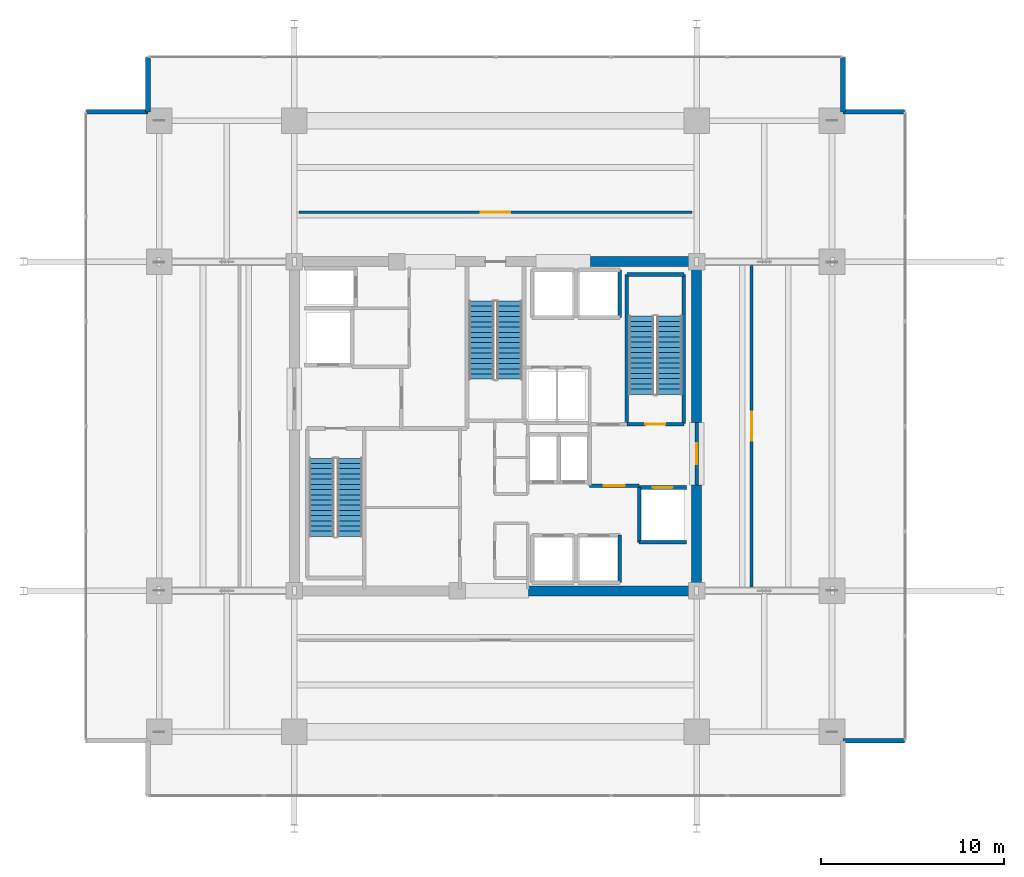
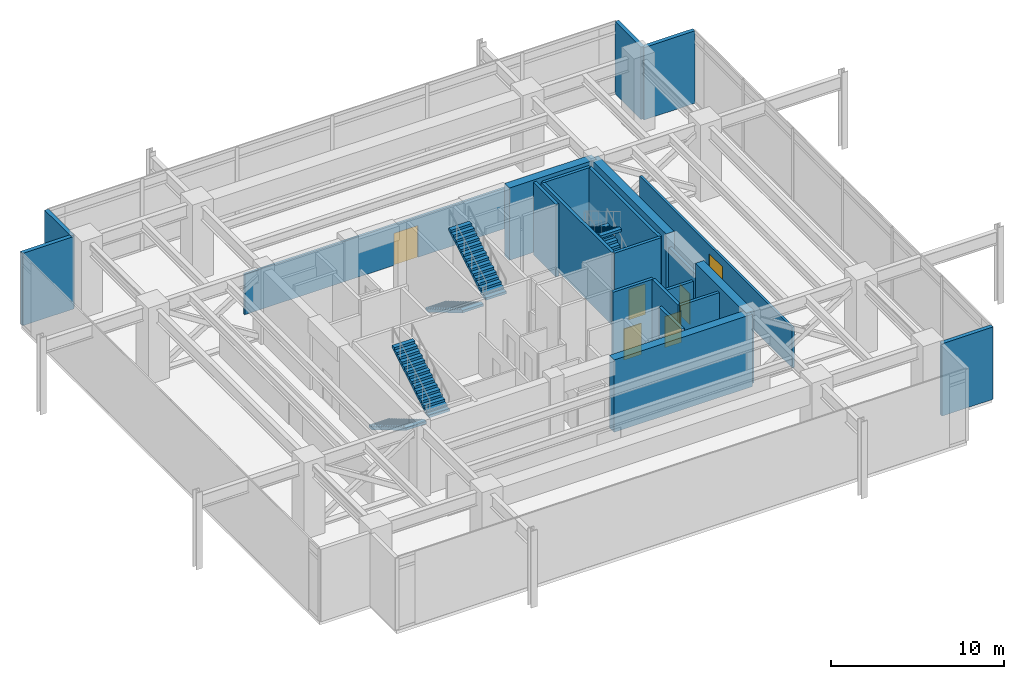
# One storey, part 20 of 21: 22 walls, 6 doors, 6 stair flights, 6 openings, 3 elements without a shape of their own.
"""IFC4 building model written with IfcOpenShell, lengths in metres."""

import ifcopenshell
import ifcopenshell.guid

model = None  # the IFC model being written
_history = None  # IfcOwnerHistory: only IFC2X3 demands one
_inside = {}  # id of a spatial element -> (the spatial element, [elements in it])
_under = {}  # id of a project, library or spatial element -> (it, [spatial elements below it])
_declared = {}  # id of a project -> (the project, [libraries it declares])
_typed = {}  # id of a type object -> (the type object, [elements of that type])
_made_of = {}  # id of a material, layer set ... -> (it, [elements and type objects made of it])


def new_model(schema):
    """Start an empty IFC model of exactly this schema.

    Asked for "IFC4X3", IfcOpenShell would pick the latest addendum, in which some entities
    have other attributes; the version numbers below select the first issue.
    IFC2X3 requires an IfcOwnerHistory on every rooted entity: one is made here for all.
    """
    global model, _history
    if schema == "IFC4X3":
        model = ifcopenshell.file(schema_version=(4, 3, 0, 0))
    else:
        model = ifcopenshell.file(schema=schema)
    _inside.clear()
    _under.clear()
    _declared.clear()
    _typed.clear()
    _made_of.clear()
    _history = None
    if model.schema == "IFC2X3":
        org = make("IfcOrganization", Name="unknown")
        user = make(
            "IfcPersonAndOrganization",
            ThePerson=make("IfcPerson", FamilyName="unknown"),
            TheOrganization=org,
        )
        app = make(
            "IfcApplication",
            ApplicationDeveloper=org,
            Version="unknown",
            ApplicationFullName="unknown",
            ApplicationIdentifier="unknown",
        )
        _history = make(
            "IfcOwnerHistory",
            OwningUser=user,
            OwningApplication=app,
            ChangeAction="ADDED",
            CreationDate=0,
        )
    return model


def make(cls, **values):
    """One entity of the class cls with the attributes given. An attribute that is None is left unset."""
    return model.create_entity(
        cls, **{name: value for name, value in values.items() if value is not None}
    )


def rooted(cls, **values):
    """An entity with a GlobalId (a new one), such as an element, a storey or a relation."""
    return make(cls, GlobalId=ifcopenshell.guid.new(), OwnerHistory=_history, **values)


def si_unit(unit_type, name, prefix=None):
    """IfcSIUnit, for example si_unit("LENGTHUNIT", "METRE", prefix="MILLI")."""
    return make("IfcSIUnit", UnitType=unit_type, Prefix=prefix, Name=name)


def assignment(units):
    """IfcUnitAssignment: the units of a project."""
    return None if units is None else make("IfcUnitAssignment", Units=units)


def point(xyz):
    """IfcCartesianPoint."""
    return None if xyz is None else make("IfcCartesianPoint", Coordinates=xyz)


def direction(xyz):
    """IfcDirection."""
    return None if xyz is None else make("IfcDirection", DirectionRatios=xyz)


def frame(location, z_axis=None, x_axis=None):
    """IfcAxis2Placement3D, a coordinate frame: its origin and axes. An axis left out is left unset."""
    return make(
        "IfcAxis2Placement3D",
        Location=point(location),
        Axis=direction(z_axis),
        RefDirection=direction(x_axis),
    )


def frame_2d(location, x_axis=None):
    """IfcAxis2Placement2D, a coordinate frame in the plane: its origin and x axis."""
    return make(
        "IfcAxis2Placement2D", Location=point(location), RefDirection=direction(x_axis)
    )


def origin():
    """The frame at (0, 0, 0) with its axes left unset."""
    return frame((0.0, 0.0, 0.0))


def place(relative_to, where):
    """IfcLocalPlacement: puts the frame where relative to a parent placement (None: the world)."""
    return make(
        "IfcLocalPlacement", PlacementRelTo=relative_to, RelativePlacement=where
    )


def context(
    kind, dimensions, precision=None, world=None, true_north=None, identifier=None
):
    """IfcGeometricRepresentationContext, for example the 3D "Model" context."""
    return make(
        "IfcGeometricRepresentationContext",
        ContextIdentifier=identifier,
        ContextType=kind,
        CoordinateSpaceDimension=dimensions,
        Precision=precision,
        WorldCoordinateSystem=world,
        TrueNorth=true_north,
    )


def subcontext(parent, identifier, kind, view, scale=None):
    """IfcGeometricRepresentationSubContext, for example "Body" below "Model"."""
    return make(
        "IfcGeometricRepresentationSubContext",
        ContextIdentifier=identifier,
        ContextType=kind,
        ParentContext=parent,
        TargetScale=scale,
        TargetView=view,
    )


def project(units=None, contexts=None):
    """IfcProject with its units and contexts."""
    return rooted(
        "IfcProject",
        Name="project",
        RepresentationContexts=contexts,
        UnitsInContext=assignment(units),
    )


def spatial(cls, under=None, at=None, **own):
    """A site, building, storey or space (cls), placed at a placement, below another one or the project."""
    s = rooted(cls, ObjectPlacement=at, **own)
    if under is not None:
        _under.setdefault(under.id(), (under, []))[1].append(s)
    return s


def polyline(points):
    """IfcPolyline through the points."""
    return make("IfcPolyline", Points=[point(p) for p in points])


def profile(cls, at=None, kind="AREA", **sizes):
    """A parametric profile (cls). Its sizes go by their IFC names, for example OverallWidth=200.0."""
    return make(cls, ProfileType=kind, Position=at, **sizes)


def rectangle(**sizes):
    """IfcRectangleProfileDef."""
    return profile("IfcRectangleProfileDef", **sizes)


def outline(outer, holes=None, kind="AREA"):
    """IfcArbitraryClosedProfileDef: a profile drawn as a closed curve; with holes, ...WithVoids."""
    if holes is None:
        return make("IfcArbitraryClosedProfileDef", ProfileType=kind, OuterCurve=outer)
    return make(
        "IfcArbitraryProfileDefWithVoids",
        ProfileType=kind,
        OuterCurve=outer,
        InnerCurves=holes,
    )


def extrude(swept, where, along, depth):
    """IfcExtrudedAreaSolid: the profile swept, set in the frame where, extruded along a direction by depth."""
    return make(
        "IfcExtrudedAreaSolid",
        SweptArea=swept,
        Position=where,
        ExtrudedDirection=direction(along),
        Depth=depth,
    )


def shape(context_of_items, identifier, shape_type, items):
    """IfcShapeRepresentation: the items that make up one representation, for example the "Body"."""
    return make(
        "IfcShapeRepresentation",
        ContextOfItems=context_of_items,
        RepresentationIdentifier=identifier,
        RepresentationType=shape_type,
        Items=items,
    )


def material(Name=None, Category=None):
    """IfcMaterial."""
    return make("IfcMaterial", Name=Name, Category=Category)


def layer(
    of_material, thickness, ventilated=None, Name=None, Category=None, Priority=None
):
    """IfcMaterialLayer: one layer of a wall or slab, of a material (None: an air gap)."""
    return make(
        "IfcMaterialLayer",
        Material=of_material,
        LayerThickness=thickness,
        IsVentilated=ventilated,
        Name=Name,
        Category=Category,
        Priority=Priority,
    )


def layer_set(layers, Name=None):
    """IfcMaterialLayerSet."""
    return make("IfcMaterialLayerSet", MaterialLayers=layers, LayerSetName=Name)


def made_of(thing, what):
    """Note that an element or type object is made of a material, layer set ...; save() writes the relation."""
    if what is not None:
        _made_of.setdefault(what.id(), (what, []))[1].append(thing)
    return thing


def type_object(cls, material=None, **own):
    """A type object (cls), such as IfcWallType, which elements share."""
    return made_of(rooted(cls, **own), material)


def element(
    cls,
    number,
    at=None,
    inside=None,
    cuts=None,
    type_object=None,
    material=None,
    context=None,
    identifier="Body",
    shape_type=None,
    held_by="IfcProductDefinitionShape",
    body=None,
    shapes=None,
    **own,
):
    """One element of the class cls, such as IfcWall. Its Tag is "e" and its number.

    at: its placement. inside: the storey or other place that contains it. cuts: it is an
    opening in that element (IfcRelVoidsElement). A single representation is given by context,
    identifier, shape_type and body (its items); several are given by shapes. held_by: the class
    of the entity that holds the representations. save() writes the other relations.
    """
    e = rooted(cls, Tag="e%d" % number, ObjectPlacement=at, **own)
    if body is not None:
        shapes = [shape(context, identifier, shape_type, body)]
    if shapes is not None:
        e.Representation = make(held_by, Representations=shapes)
    if inside is not None:
        _inside.setdefault(inside.id(), (inside, []))[1].append(e)
    if cuts is not None:
        rooted(
            "IfcRelVoidsElement", RelatingBuildingElement=cuts, RelatedOpeningElement=e
        )
    if type_object is not None:
        _typed.setdefault(type_object.id(), (type_object, []))[1].append(e)
    return made_of(e, material)


def fill(opening, filler):
    """IfcRelFillsElement: the door or window that sits in an opening."""
    return rooted(
        "IfcRelFillsElement",
        RelatingOpeningElement=opening,
        RelatedBuildingElement=filler,
    )


def aggregate(whole, parts):
    """IfcRelAggregates: a whole, such as a stair, and the parts it consists of."""
    return rooted("IfcRelAggregates", RelatingObject=whole, RelatedObjects=parts)


def save(model, path):
    """Write the relations noted so far, then the file.

    IfcRelAggregates (storeys below a building ...), IfcRelContainedInSpatialStructure (elements
    in a storey), IfcRelDefinesByType, IfcRelAssociatesMaterial and IfcRelDeclares: one each for
    every whole, place, type object, material and project.
    """
    for whole, parts in _under.values():
        aggregate(whole, parts)
    for where, things in _inside.values():
        rooted(
            "IfcRelContainedInSpatialStructure",
            RelatedElements=things,
            RelatingStructure=where,
        )
    for kind, things in _typed.values():
        rooted("IfcRelDefinesByType", RelatedObjects=things, RelatingType=kind)
    for what, things in _made_of.values():
        rooted("IfcRelAssociatesMaterial", RelatedObjects=things, RelatingMaterial=what)
    for by, libraries in _declared.values():
        rooted("IfcRelDeclares", RelatingContext=by, RelatedDefinitions=libraries)
    model.write(path)


model = new_model("IFC4")

# Units and contexts
model_context = context("Model", 3, precision=1e-05, world=origin(), true_north=direction((0.0, 1.0)))
body_context = subcontext(model_context, "Body", "Model", "MODEL_VIEW")
ifc_project = project(units=[si_unit("LENGTHUNIT", "METRE"), si_unit("AREAUNIT", "SQUARE_METRE"), si_unit("VOLUMEUNIT", "CUBIC_METRE"), si_unit("PLANEANGLEUNIT", "RADIAN"), si_unit("MASSUNIT", "GRAM", prefix="KILO")], contexts=[model_context])

# Site, building, storey
site_placement = place(None, origin())
site = spatial("IfcSite", under=ifc_project, at=site_placement, CompositionType="ELEMENT")
building_placement = place(site_placement, origin())
building = spatial("IfcBuilding", under=site, at=building_placement, Name="Kovane Verandah Tower", CompositionType="ELEMENT")
storey_placement = place(building_placement, frame((0.0, 0.0, 189.39990234375)))
storey = spatial("IfcBuildingStorey", under=building, at=storey_placement, Name="L44", CompositionType="ELEMENT", Elevation=189.39990234375)

# Wall, opening, door
ifc_material_1 = material(Name="Fire-Rated Gypsum Stud Partition", Category="gypsum")
ifc_layer_1 = layer(ifc_material_1, 0.14990234375)
ifc_layer_set_1 = layer_set([ifc_layer_1], Name="Fire-Rated Gypsum Stud Partition")
wall_type_1 = type_object("IfcWallType", Name="WL-COR-150", PredefinedType="PARTITIONING", material=ifc_layer_set_1)
wall_1_placement = place(storey_placement, frame((29.25, 39.199951171875, 0.0), z_axis=(0.0, 0.0, 1.0), x_axis=(1.0, 0.0, 0.0)))
wall_1 = element("IfcWall", 1, at=wall_1_placement, inside=storey, type_object=wall_type_1, Name="L44 Mechanical AHU Plant Room North Corridor Partition", PredefinedType="PARTITIONING", context=body_context, shape_type="SweptSolid", body=[
    extrude(rectangle(XDim=21.5, YDim=0.14990234375, at=frame_2d((10.75, 0.0))), origin(), (0.0, 0.0, 1.0), 2.85009765625),
])
opening_1_placement = place(wall_1_placement, frame((9.949951171875, 0.0, 0.0)))
opening_1 = element("IfcOpeningElement", 2, at=opening_1_placement, cuts=wall_1, Name="Opening DR-L44-015", PredefinedType="OPENING", context=body_context, shape_type="SweptSolid", body=[
    extrude(rectangle(XDim=1.60009765625, YDim=2.25, at=frame_2d((0.800048828125, 1.125))), frame((0.0, 0.074951171875, 0.0), z_axis=(0.0, -1.0, 0.0), x_axis=(1.0, 0.0, 0.0)), (0.0, 0.0, 1.0), 0.14990234375),
])
ifc_material_2 = material(Name="Louvred Acoustic Steel Double Plant Door", Category="steel")
door_type_1 = type_object("IfcDoorType", Name="DR-PLANT-1600", OperationType="DOUBLE_DOOR_SINGLE_SWING", PredefinedType="DOOR", material=ifc_material_2)
door_1_placement = place(opening_1_placement, origin())
door_1 = element("IfcDoor", 3, at=door_1_placement, inside=storey, type_object=door_type_1, Name="L44 Mechanical AHU Plant Room North Entrance Door", OperationType="DOUBLE_DOOR_SINGLE_SWING", OverallHeight=2.25, OverallWidth=1.60009765625, PredefinedType="DOOR", context=body_context, shape_type="SweptSolid", body=[
    extrude(rectangle(XDim=1.60009765625, YDim=2.25, at=frame_2d((0.800048828125, 1.125))), frame((0.0, 0.02490234375, 0.0), z_axis=(0.0, -1.0, 0.0), x_axis=(1.0, 0.0, 0.0)), (0.0, 0.0, 1.0), 0.050048828125),
])
fill(opening_1, door_1)

wall_2_placement = place(storey_placement, frame((54.0, 18.699951171875, 0.0), z_axis=(0.0, 0.0, 1.0), x_axis=(0.0, 1.0, 0.0)))
wall_2 = element("IfcWall", 4, at=wall_2_placement, inside=storey, type_object=wall_type_1, Name="L44 Electrical Switchroom Plant East Corridor Partition", PredefinedType="PARTITIONING", context=body_context, shape_type="SweptSolid", body=[
    extrude(rectangle(XDim=17.60009765625, YDim=0.14990234375, at=frame_2d((8.800048828125, 0.0))), origin(), (0.0, 0.0, 1.0), 2.85009765625),
])
opening_2_placement = place(wall_2_placement, frame((8.0, 0.0, 0.0)))
opening_2 = element("IfcOpeningElement", 5, at=opening_2_placement, cuts=wall_2, Name="Opening DR-L44-010", PredefinedType="OPENING", context=body_context, shape_type="SweptSolid", body=[
    extrude(rectangle(XDim=1.60009765625, YDim=2.25, at=frame_2d((0.800048828125, 1.125))), frame((0.0, 0.074951171875, 0.0), z_axis=(0.0, -1.0, 0.0), x_axis=(1.0, 0.0, 0.0)), (0.0, 0.0, 1.0), 0.14990234375),
])
door_2_placement = place(opening_2_placement, origin())
door_2 = element("IfcDoor", 6, at=door_2_placement, inside=storey, type_object=door_type_1, Name="L44 Electrical Switchroom Plant East Entrance Door", OperationType="DOUBLE_DOOR_SINGLE_SWING", OverallHeight=2.25, OverallWidth=1.60009765625, PredefinedType="DOOR", context=body_context, shape_type="SweptSolid", body=[
    extrude(rectangle(XDim=1.60009765625, YDim=2.25, at=frame_2d((0.800048828125, 1.125))), frame((0.0, 0.02490234375, 0.0), z_axis=(0.0, -1.0, 0.0), x_axis=(1.0, 0.0, 0.0)), (0.0, 0.0, 1.0), 0.050048828125),
])
fill(opening_2, door_2)

# Walls
ifc_material_3 = material(Name="Concrete C60/75", Category="concrete")
ifc_layer_2 = layer(ifc_material_3, 0.550048828125)
ifc_layer_set_2 = layer_set([ifc_layer_2], Name="Concrete C60/75")
wall_type_2 = type_object("IfcWallType", Name="WL-CORE-550", PredefinedType="SHEAR", material=ifc_layer_set_2)
wall_3_placement = place(storey_placement, frame((41.800048828125, 18.5, 0.0), z_axis=(0.0, 0.0, 1.0), x_axis=(1.0, 0.0, 0.0)))
element("IfcWall", 7, at=wall_3_placement, inside=storey, type_object=wall_type_2, Name="L44 Core Shear Wall CS-2", PredefinedType="SHEAR", context=body_context, shape_type="SweptSolid", body=[
    extrude(rectangle(XDim=9.199951171875, YDim=0.550048828125, at=frame_2d((4.60009765625, 0.0))), origin(), (0.0, 0.0, 1.0), 5.10009765625),
])
for number, where, z_axis, x_axis, name in (
    (8, (45.199951171875, 36.5, 0.0), (0.0, 0.0, 1.0), (1.0, 0.0, 0.0), "L44 Core Shear Wall CN-3"),
    (9, (51.0, 18.5, 0.0), (0.0, 0.0, 1.0), (0.0, 1.0, 0.0), "L44 Core Shear Wall CE-1"),
):
    element("IfcWall", number, at=place(storey_placement, frame(where, z_axis=z_axis, x_axis=x_axis)), inside=storey, type_object=wall_type_2, Name=name, PredefinedType="SHEAR", context=body_context, shape_type="SweptSolid", body=[
        extrude(rectangle(XDim=5.800048828125, YDim=0.550048828125, at=frame_2d((2.89990234375, 0.0))), origin(), (0.0, 0.0, 1.0), 5.10009765625),
    ])
wall_4_placement = place(storey_placement, frame((51.0, 27.699951171875, 0.0), z_axis=(0.0, 0.0, 1.0), x_axis=(0.0, 1.0, 0.0)))
element("IfcWall", 10, at=wall_4_placement, inside=storey, type_object=wall_type_2, Name="L44 Core Shear Wall CE-2", PredefinedType="SHEAR", context=body_context, shape_type="SweptSolid", body=[
    extrude(rectangle(XDim=8.800048828125, YDim=0.550048828125, at=frame_2d((4.39990234375, 0.0))), origin(), (0.0, 0.0, 1.0), 5.10009765625),
])

# Wall, opening, door
ifc_material_4 = material(Name="Concrete C45/55 Fire Wall", Category="concrete")
ifc_layer_3 = layer(ifc_material_4, 0.199951171875)
ifc_layer_set_3 = layer_set([ifc_layer_3], Name="Concrete C45/55 Fire Wall")
wall_type_3 = type_object("IfcWallType", Name="WL-FFL-200", PredefinedType="PARTITIONING", material=ifc_layer_set_3)
wall_5_placement = place(storey_placement, frame((45.14990234375, 24.25, 0.0), z_axis=(0.0, 0.0, 1.0), x_axis=(1.0, 0.0, 0.0)))
wall_5 = element("IfcWall", 11, at=wall_5_placement, inside=storey, type_object=wall_type_3, Name="W-L44-FFLE-S", PredefinedType="PARTITIONING", context=body_context, shape_type="SweptSolid", body=[
    extrude(rectangle(XDim=2.7001953125, YDim=0.199951171875, at=frame_2d((1.35009765625, 0.0))), origin(), (0.0, 0.0, 1.0), 5.10009765625),
])
opening_3_placement = place(wall_5_placement, frame((0.77490234375, 0.0, 0.0)))
opening_3 = element("IfcOpeningElement", 12, at=opening_3_placement, cuts=wall_5, Name="Opening DR-L44-001", PredefinedType="OPENING", context=body_context, shape_type="SweptSolid", body=[
    extrude(rectangle(XDim=1.14990234375, YDim=2.199951171875, at=frame_2d((0.574951171875, 1.10009765625))), frame((0.0, 0.10009765625, 0.0), z_axis=(0.0, -1.0, 0.0), x_axis=(1.0, 0.0, 0.0)), (0.0, 0.0, 1.0), 0.199951171875),
])
ifc_material_5 = material(Name="Smoke-Sealed Firefighting Lobby Door", Category="steel")
door_type_2 = type_object("IfcDoorType", Name="DR-FFL-1150", OperationType="SINGLE_SWING_LEFT", PredefinedType="DOOR", material=ifc_material_5)
door_3_placement = place(opening_3_placement, origin())
door_3 = element("IfcDoor", 13, at=door_3_placement, inside=storey, type_object=door_type_2, Name="L44 East Firefighting Lobby Inner Door", OperationType="SINGLE_SWING_RIGHT", OverallHeight=2.199951171875, OverallWidth=1.14990234375, PredefinedType="DOOR", context=body_context, shape_type="SweptSolid", body=[
    extrude(rectangle(XDim=1.14990234375, YDim=2.199951171875, at=frame_2d((0.574951171875, 1.10009765625))), frame((0.0, 0.02490234375, 0.0), z_axis=(0.0, -1.0, 0.0), x_axis=(1.0, 0.0, 0.0)), (0.0, 0.0, 1.0), 0.050048828125),
])
fill(opening_3, door_3)

wall_6_placement = place(storey_placement, frame((51.0, 24.300048828125, 0.0), z_axis=(0.0, 0.0, 1.0), x_axis=(0.0, 1.0, 0.0)))
wall_6 = element("IfcWall", 14, at=wall_6_placement, inside=storey, type_object=wall_type_3, Name="W-L44-FFLE-OUT", PredefinedType="PARTITIONING", context=body_context, shape_type="SweptSolid", body=[
    extrude(rectangle(XDim=3.39990234375, YDim=0.199951171875, at=frame_2d((1.699951171875, 0.0))), origin(), (0.0, 0.0, 1.0), 4.080078125),
])
opening_4_placement = place(wall_6_placement, frame((1.125, 0.0, 0.0)))
opening_4 = element("IfcOpeningElement", 15, at=opening_4_placement, cuts=wall_6, Name="Opening DR-L44-003", PredefinedType="OPENING", context=body_context, shape_type="SweptSolid", body=[
    extrude(rectangle(XDim=1.14990234375, YDim=2.199951171875, at=frame_2d((0.574951171875, 1.10009765625))), frame((0.0, 0.10009765625, 0.0), z_axis=(0.0, -1.0, 0.0), x_axis=(1.0, 0.0, 0.0)), (0.0, 0.0, 1.0), 0.199951171875),
])
door_4_placement = place(opening_4_placement, origin())
door_4 = element("IfcDoor", 16, at=door_4_placement, inside=storey, type_object=door_type_2, Name="L44 East Firefighting Lobby Corridor Door", OperationType="SINGLE_SWING_LEFT", OverallHeight=2.199951171875, OverallWidth=1.14990234375, PredefinedType="DOOR", context=body_context, shape_type="SweptSolid", body=[
    extrude(rectangle(XDim=1.14990234375, YDim=2.199951171875, at=frame_2d((0.574951171875, 1.10009765625))), frame((0.0, 0.02490234375, 0.0), z_axis=(0.0, -1.0, 0.0), x_axis=(1.0, 0.0, 0.0)), (0.0, 0.0, 1.0), 0.050048828125),
])
fill(opening_4, door_4)

# Wall
ifc_material_6 = material(Name="Concrete C45/55 Lift Shaft Wall", Category="concrete")
ifc_layer_4 = layer(ifc_material_6, 0.199951171875)
ifc_layer_set_4 = layer_set([ifc_layer_4], Name="Concrete C45/55 Lift Shaft Wall")
wall_type_4 = type_object("IfcWallType", Name="WL-LIFT-200", PredefinedType="SOLIDWALL", material=ifc_layer_set_4)
wall_7_placement = place(storey_placement, frame((47.85009765625, 21.14990234375, 0.0), z_axis=(0.0, 0.0, 1.0), x_axis=(1.0, 0.0, 0.0)))
element("IfcWall", 17, at=wall_7_placement, inside=storey, type_object=wall_type_4, Name="L44 Lift FL-02 S Shaft Wall", PredefinedType="SOLIDWALL", context=body_context, shape_type="SweptSolid", body=[
    extrude(rectangle(XDim=2.599853515625, YDim=0.199951171875, at=frame_2d((1.2998046875, 0.0))), origin(), (0.0, 0.0, 1.0), 5.10009765625),
])

# Wall, opening, door
wall_8_placement = place(storey_placement, frame((50.449951171875, 24.14990234375, 0.0), z_axis=(0.0, 0.0, 1.0), x_axis=(-1.0, 0.0, 0.0)))
wall_8 = element("IfcWall", 18, at=wall_8_placement, inside=storey, type_object=wall_type_4, Name="L44 Lift FL-02 N Shaft Wall", PredefinedType="SOLIDWALL", context=body_context, shape_type="SweptSolid", body=[
    extrude(rectangle(XDim=2.599853515625, YDim=0.199951171875, at=frame_2d((1.2998046875, 0.0))), origin(), (0.0, 0.0, 1.0), 4.080078125),
])
opening_5_placement = place(wall_8_placement, frame((0.75, 0.0, 0.0)))
opening_5 = element("IfcOpeningElement", 19, at=opening_5_placement, cuts=wall_8, Name="Opening LD-L44-002", PredefinedType="OPENING", context=body_context, shape_type="SweptSolid", body=[
    extrude(rectangle(XDim=1.10009765625, YDim=2.199951171875, at=frame_2d((0.550048828125, 1.10009765625))), frame((0.0, 0.10009765625, 0.0), z_axis=(0.0, -1.0, 0.0), x_axis=(1.0, 0.0, 0.0)), (0.0, 0.0, 1.0), 0.199951171875),
])
ifc_material_7 = material(Name="Brushed Stainless Steel Sliding Lift Landing Door", Category="steel")
door_type_3 = type_object("IfcDoorType", Name="DR-LIFT-1100", OperationType="SLIDING_TO_RIGHT", PredefinedType="DOOR", material=ifc_material_7)
door_5_placement = place(opening_5_placement, origin())
door_5 = element("IfcDoor", 20, at=door_5_placement, inside=storey, type_object=door_type_3, Name="L44 Lift FL-02 Sliding Landing Door", OperationType="SLIDING_TO_RIGHT", OverallHeight=2.199951171875, OverallWidth=1.10009765625, PredefinedType="DOOR", context=body_context, shape_type="SweptSolid", body=[
    extrude(rectangle(XDim=1.10009765625, YDim=2.199951171875, at=frame_2d((0.550048828125, 1.10009765625))), frame((0.0, 0.02490234375, 0.0), z_axis=(0.0, -1.0, 0.0), x_axis=(1.0, 0.0, 0.0)), (0.0, 0.0, 1.0), 0.050048828125),
])
fill(opening_5, door_5)

# Walls
wall_9_placement = place(storey_placement, frame((47.85009765625, 24.14990234375, 0.0), z_axis=(0.0, 0.0, 1.0), x_axis=(0.0, -1.0, 0.0)))
element("IfcWall", 21, at=wall_9_placement, inside=storey, type_object=wall_type_4, Name="L44 Lift FL-02 W Shaft Wall", PredefinedType="SOLIDWALL", context=body_context, shape_type="SweptSolid", body=[
    extrude(rectangle(XDim=3.0, YDim=0.199951171875, at=frame_2d((1.5, 0.0))), origin(), (0.0, 0.0, 1.0), 5.10009765625),
])
for number, where, z_axis, x_axis, name in (
    (22, (46.800048828125, 18.949951171875, 0.0), (0.0, 0.0, 1.0), (0.0, 1.0, 0.0), "L44 Lift PL-M2 E Shaft Wall"),
    (23, (46.800048828125, 33.449951171875, 0.0), (0.0, 0.0, 1.0), (0.0, 1.0, 0.0), "L44 Lift OL-01 E Shaft Wall"),
):
    element("IfcWall", number, at=place(storey_placement, frame(where, z_axis=z_axis, x_axis=x_axis)), inside=storey, type_object=wall_type_4, Name=name, PredefinedType="SOLIDWALL", context=body_context, shape_type="SweptSolid", body=[
        extrude(rectangle(XDim=2.60009765625, YDim=0.199951171875, at=frame_2d((1.300048828125, 0.0))), origin(), (0.0, 0.0, 1.0), 5.10009765625),
    ])
ifc_material_8 = material(Name="Concrete C45/55", Category="concrete")
ifc_layer_5 = layer(ifc_material_8, 0.199951171875)
ifc_layer_set_5 = layer_set([ifc_layer_5], Name="Concrete C45/55")
wall_type_5 = type_object("IfcWallType", Name="WL-SHAFT-200", PredefinedType="SOLIDWALL", material=ifc_layer_set_5)
wall_10_placement = place(storey_placement, frame((50.300048828125, 27.64990234375, 0.0), z_axis=(0.0, 0.0, 1.0), x_axis=(0.0, 1.0, 0.0)))
element("IfcWall", 24, at=wall_10_placement, inside=storey, type_object=wall_type_5, Name="W-L44-ST02-E", PredefinedType="SOLIDWALL", context=body_context, shape_type="SweptSolid", body=[
    extrude(rectangle(XDim=8.150146484375, YDim=0.199951171875, at=frame_2d((4.0751953125, 0.0))), origin(), (0.0, 0.0, 1.0), 5.10009765625),
])
wall_11_placement = place(storey_placement, frame((47.179931640625, 35.800048828125, 0.0), z_axis=(0.0, 0.0, 1.0), x_axis=(1.0, 0.0, 0.0)))
element("IfcWall", 25, at=wall_11_placement, inside=storey, type_object=wall_type_5, Name="W-L44-ST02-N", PredefinedType="SOLIDWALL", context=body_context, shape_type="SweptSolid", body=[
    extrude(rectangle(XDim=3.1201171875, YDim=0.199951171875, at=frame_2d((1.56005859375, 0.0))), origin(), (0.0, 0.0, 1.0), 5.10009765625),
])
wall_12_placement = place(storey_placement, frame((47.179931640625, 27.6201171875, 0.0), z_axis=(0.0, 0.0, 1.0), x_axis=(0.0, 1.0, 0.0)))
element("IfcWall", 26, at=wall_12_placement, inside=storey, type_object=wall_type_5, Name="W-L44-ST02-W", PredefinedType="SOLIDWALL", context=body_context, shape_type="SweptSolid", body=[
    extrude(rectangle(XDim=8.179931640625, YDim=0.199951171875, at=frame_2d((4.08984375, 0.0))), origin(), (0.0, 0.0, 1.0), 5.10009765625),
])

# Wall, opening, door
wall_13_placement = place(storey_placement, frame((47.179931640625, 27.6201171875, 0.0), z_axis=(0.0, 0.0, 1.0), x_axis=(1.0, 0.0, 0.0)))
wall_13 = element("IfcWall", 27, at=wall_13_placement, inside=storey, type_object=wall_type_5, Name="W-L44-ST02-S", PredefinedType="SOLIDWALL", context=body_context, shape_type="SweptSolid", body=[
    extrude(rectangle(XDim=3.1201171875, YDim=0.199951171875, at=frame_2d((1.56005859375, 0.0))), origin(), (0.0, 0.0, 1.0), 5.10009765625),
])
opening_6_placement = place(wall_13_placement, frame((1.010009765625, 0.0, 0.0)))
opening_6 = element("IfcOpeningElement", 28, at=opening_6_placement, cuts=wall_13, Name="Opening DR-L44-008", PredefinedType="OPENING", context=body_context, shape_type="SweptSolid", body=[
    extrude(rectangle(XDim=1.10009765625, YDim=2.14990234375, at=frame_2d((0.550048828125, 1.074951171875))), frame((0.0, 0.10009765625, 0.0), z_axis=(0.0, -1.0, 0.0), x_axis=(1.0, 0.0, 0.0)), (0.0, 0.0, 1.0), 0.199951171875),
])
ifc_material_9 = material(Name="Fire-Rated Steel Exit Door", Category="steel")
door_type_4 = type_object("IfcDoorType", Name="DR-STAIR-1100", OperationType="SINGLE_SWING_LEFT", PredefinedType="DOOR", material=ifc_material_9)
door_6_placement = place(opening_6_placement, origin())
door_6 = element("IfcDoor", 29, at=door_6_placement, inside=storey, type_object=door_type_4, Name="L44 ST-02 Fire Exit Stair Door", OperationType="SINGLE_SWING_RIGHT", OverallHeight=2.14990234375, OverallWidth=1.10009765625, PredefinedType="DOOR", context=body_context, shape_type="SweptSolid", body=[
    extrude(rectangle(XDim=1.10009765625, YDim=2.14990234375, at=frame_2d((0.550048828125, 1.074951171875))), frame((0.0, 0.02490234375, 0.0), z_axis=(0.0, -1.0, 0.0), x_axis=(1.0, 0.0, 0.0)), (0.0, 0.0, 1.0), 0.050048828125),
])
fill(opening_6, door_6)

# Walls
ifc_material_10 = material(Name="Concrete C45/55 Insulated Spandrel Wall", Category="concrete")
ifc_layer_6 = layer(ifc_material_10, 0.260009765625)
ifc_layer_set_6 = layer_set([ifc_layer_6], Name="Concrete C45/55 Insulated Spandrel Wall")
wall_type_6 = type_object("IfcWallType", Name="WL-SPANDREL-260", PredefinedType="PARAPET", material=ifc_layer_set_6)
for number, where, z_axis, x_axis, name in (
    (30, (59.0, 10.300048828125, 0.0), (0.0, 0.0, 1.0), (1.0, 0.0, 0.0), "L44 SE Notch Cheek Wall 2"),
    (31, (62.39990234375, 44.699951171875, 0.0), (0.0, 0.0, 1.0), (-1.0, 0.0, 0.0), "L44 NE Notch Cheek Wall 1"),
):
    element("IfcWall", number, at=place(storey_placement, frame(where, z_axis=z_axis, x_axis=x_axis)), inside=storey, type_object=wall_type_6, Name=name, PredefinedType="PARAPET", context=body_context, shape_type="SweptSolid", body=[
        extrude(rectangle(XDim=3.39990234375, YDim=0.260009765625, at=frame_2d((1.699951171875, 0.0))), origin(), (0.0, 0.0, 1.0), 5.10009765625),
    ])
for number, where, z_axis, x_axis, name in (
    (32, (59.0, 44.699951171875, 0.0), (0.0, 0.0, 1.0), (0.0, 1.0, 0.0), "L44 NE Notch Cheek Wall 2"),
    (33, (21.0, 47.699951171875, 0.0), (0.0, 0.0, 1.0), (0.0, -1.0, 0.0), "L44 NW Notch Cheek Wall 1"),
):
    element("IfcWall", number, at=place(storey_placement, frame(where, z_axis=z_axis, x_axis=x_axis)), inside=storey, type_object=wall_type_6, Name=name, PredefinedType="PARAPET", context=body_context, shape_type="SweptSolid", body=[
        extrude(rectangle(XDim=3.0, YDim=0.260009765625, at=frame_2d((1.5, 0.0))), origin(), (0.0, 0.0, 1.0), 5.10009765625),
    ])
wall_14_placement = place(storey_placement, frame((21.0, 44.699951171875, 0.0), z_axis=(0.0, 0.0, 1.0), x_axis=(-1.0, 0.0, 0.0)))
element("IfcWall", 34, at=wall_14_placement, inside=storey, type_object=wall_type_6, Name="L44 NW Notch Cheek Wall 2", PredefinedType="PARAPET", context=body_context, shape_type="SweptSolid", body=[
    extrude(rectangle(XDim=3.39990234375, YDim=0.260009765625, at=frame_2d((1.699951171875, 0.0))), origin(), (0.0, 0.0, 1.0), 5.10009765625),
])

# Stair, stair flights
stair_type = type_object("IfcStairType", Name="ST-CORE-1380", PredefinedType="HALF_TURN_STAIR", material=ifc_material_8)
stair_1_placement = place(storey_placement, origin())
stair_1 = element("IfcStair", 35, at=stair_1_placement, inside=storey, type_object=stair_type, Name="L44 Exit Stair ST-01", PredefinedType="HALF_TURN_STAIR")
stair_flight_type = type_object("IfcStairFlightType", Name="STF-CORE-1380", PredefinedType="STRAIGHT", material=ifc_material_8)
stair_flight_1_placement = place(storey_placement, frame((30.489990234375, 25.75, 0.0), z_axis=(0.0, 0.0, 1.0), x_axis=(0.0, -1.0, 0.0)))
stair_flight_1 = element("IfcStairFlight", 36, at=stair_flight_1_placement, type_object=stair_flight_type, Name="ST-01 flight 1", NumberOfRisers=16, NumberOfTreads=15, PredefinedType="STRAIGHT", RiserHeight=0.16875, TreadLength=0.285, context=body_context, shape_type="SweptSolid", body=[
    extrude(outline(polyline([(0.0, 0.0), (0.0, 0.168701171875), (0.284912109375, 0.168701171875), (0.284912109375, 0.33740234375), (0.570068359375, 0.33740234375), (0.570068359375, 0.50634765625), (0.85498046875, 0.50634765625), (0.85498046875, 0.675048828125), (1.139892578125, 0.675048828125), (1.139892578125, 0.84375), (1.425048828125, 0.84375), (1.425048828125, 1.012451171875), (1.7099609375, 1.012451171875), (1.7099609375, 1.18115234375), (1.9951171875, 1.18115234375), (1.9951171875, 1.35009765625), (2.280029296875, 1.35009765625), (2.280029296875, 1.518798828125), (2.56494140625, 1.518798828125), (2.56494140625, 1.6875), (2.85009765625, 1.6875), (2.85009765625, 1.856201171875), (3.135009765625, 1.856201171875), (3.135009765625, 2.02490234375), (3.419921875, 2.02490234375), (3.419921875, 2.19384765625), (3.705078125, 2.19384765625), (3.705078125, 2.362548828125), (3.989990234375, 2.362548828125), (3.989990234375, 2.53125), (4.27490234375, 2.53125), (4.27490234375, 2.699951171875), (4.27490234375, 2.35693359375), (0.294189453125, 0.0), (0.0, 0.0)])), frame((0.0, 0.68994140625, 0.0), z_axis=(0.0, -1.0, 0.0), x_axis=(1.0, 0.0, 0.0)), (0.0, 0.0, 1.0), 1.3798828125),
])
stair_flight_2_placement = place(storey_placement, frame((32.030029296875, 21.47509765625, 2.7001953125), z_axis=(0.0, 0.0, 1.0), x_axis=(0.0, 1.0, 0.0)))
stair_flight_2 = element("IfcStairFlight", 37, at=stair_flight_2_placement, type_object=stair_flight_type, Name="ST-01 flight 2", NumberOfRisers=16, NumberOfTreads=15, PredefinedType="STRAIGHT", RiserHeight=0.16875, TreadLength=0.285, context=body_context, shape_type="SweptSolid", body=[
    extrude(outline(polyline([(0.0, 0.0), (0.0, 0.168701171875), (0.284912109375, 0.168701171875), (0.284912109375, 0.33740234375), (0.570068359375, 0.33740234375), (0.570068359375, 0.50634765625), (0.85498046875, 0.50634765625), (0.85498046875, 0.675048828125), (1.139892578125, 0.675048828125), (1.139892578125, 0.84375), (1.425048828125, 0.84375), (1.425048828125, 1.012451171875), (1.7099609375, 1.012451171875), (1.7099609375, 1.18115234375), (1.9951171875, 1.18115234375), (1.9951171875, 1.35009765625), (2.280029296875, 1.35009765625), (2.280029296875, 1.518798828125), (2.56494140625, 1.518798828125), (2.56494140625, 1.6875), (2.85009765625, 1.6875), (2.85009765625, 1.856201171875), (3.135009765625, 1.856201171875), (3.135009765625, 2.02490234375), (3.419921875, 2.02490234375), (3.419921875, 2.19384765625), (3.705078125, 2.19384765625), (3.705078125, 2.362548828125), (3.989990234375, 2.362548828125), (3.989990234375, 2.53125), (4.27490234375, 2.53125), (4.27490234375, 2.699951171875), (4.27490234375, 2.35693359375), (0.294189453125, 0.0), (0.0, 0.0)])), frame((0.0, 0.68994140625, 0.0), z_axis=(0.0, -1.0, 0.0), x_axis=(1.0, 0.0, 0.0)), (0.0, 0.0, 1.0), 1.3798828125),
])
aggregate(stair_1, [stair_flight_1, stair_flight_2])

stair_2_placement = place(storey_placement, origin())
stair_2 = element("IfcStair", 38, at=stair_2_placement, inside=storey, type_object=stair_type, Name="L44 Exit Stair ST-02", PredefinedType="HALF_TURN_STAIR")
stair_flight_3_placement = place(storey_placement, frame((49.510009765625, 29.25, 0.0), z_axis=(0.0, 0.0, 1.0), x_axis=(0.0, 1.0, 0.0)))
stair_flight_3 = element("IfcStairFlight", 39, at=stair_flight_3_placement, type_object=stair_flight_type, Name="ST-02 flight 1", NumberOfRisers=16, NumberOfTreads=15, PredefinedType="STRAIGHT", RiserHeight=0.16875, TreadLength=0.285, context=body_context, shape_type="SweptSolid", body=[
    extrude(outline(polyline([(0.0, 0.0), (0.0, 0.168701171875), (0.284912109375, 0.168701171875), (0.284912109375, 0.33740234375), (0.570068359375, 0.33740234375), (0.570068359375, 0.50634765625), (0.85498046875, 0.50634765625), (0.85498046875, 0.675048828125), (1.139892578125, 0.675048828125), (1.139892578125, 0.84375), (1.425048828125, 0.84375), (1.425048828125, 1.012451171875), (1.7099609375, 1.012451171875), (1.7099609375, 1.18115234375), (1.9951171875, 1.18115234375), (1.9951171875, 1.35009765625), (2.280029296875, 1.35009765625), (2.280029296875, 1.518798828125), (2.56494140625, 1.518798828125), (2.56494140625, 1.6875), (2.85009765625, 1.6875), (2.85009765625, 1.856201171875), (3.135009765625, 1.856201171875), (3.135009765625, 2.02490234375), (3.419921875, 2.02490234375), (3.419921875, 2.19384765625), (3.705078125, 2.19384765625), (3.705078125, 2.362548828125), (3.989990234375, 2.362548828125), (3.989990234375, 2.53125), (4.27490234375, 2.53125), (4.27490234375, 2.699951171875), (4.27490234375, 2.35693359375), (0.294189453125, 0.0), (0.0, 0.0)])), frame((0.0, 0.68994140625, 0.0), z_axis=(0.0, -1.0, 0.0), x_axis=(1.0, 0.0, 0.0)), (0.0, 0.0, 1.0), 1.3798828125),
])
stair_flight_4_placement = place(storey_placement, frame((47.969970703125, 33.52490234375, 2.7001953125), z_axis=(0.0, 0.0, 1.0), x_axis=(0.0, -1.0, 0.0)))
stair_flight_4 = element("IfcStairFlight", 40, at=stair_flight_4_placement, type_object=stair_flight_type, Name="ST-02 flight 2", NumberOfRisers=16, NumberOfTreads=15, PredefinedType="STRAIGHT", RiserHeight=0.16875, TreadLength=0.285, context=body_context, shape_type="SweptSolid", body=[
    extrude(outline(polyline([(0.0, 0.0), (0.0, 0.168701171875), (0.284912109375, 0.168701171875), (0.284912109375, 0.33740234375), (0.570068359375, 0.33740234375), (0.570068359375, 0.50634765625), (0.85498046875, 0.50634765625), (0.85498046875, 0.675048828125), (1.139892578125, 0.675048828125), (1.139892578125, 0.84375), (1.425048828125, 0.84375), (1.425048828125, 1.012451171875), (1.7099609375, 1.012451171875), (1.7099609375, 1.18115234375), (1.9951171875, 1.18115234375), (1.9951171875, 1.35009765625), (2.280029296875, 1.35009765625), (2.280029296875, 1.518798828125), (2.56494140625, 1.518798828125), (2.56494140625, 1.6875), (2.85009765625, 1.6875), (2.85009765625, 1.856201171875), (3.135009765625, 1.856201171875), (3.135009765625, 2.02490234375), (3.419921875, 2.02490234375), (3.419921875, 2.19384765625), (3.705078125, 2.19384765625), (3.705078125, 2.362548828125), (3.989990234375, 2.362548828125), (3.989990234375, 2.53125), (4.27490234375, 2.53125), (4.27490234375, 2.699951171875), (4.27490234375, 2.35693359375), (0.294189453125, 0.0), (0.0, 0.0)])), frame((0.0, 0.68994140625, 0.0), z_axis=(0.0, -1.0, 0.0), x_axis=(1.0, 0.0, 0.0)), (0.0, 0.0, 1.0), 1.3798828125),
])
aggregate(stair_2, [stair_flight_3, stair_flight_4])

stair_3_placement = place(storey_placement, origin())
stair_3 = element("IfcStair", 41, at=stair_3_placement, inside=storey, type_object=stair_type, Name="L44 Exit Stair ST-03", PredefinedType="HALF_TURN_STAIR")
stair_flight_5_placement = place(storey_placement, frame((39.22998046875, 34.35009765625, 0.0), z_axis=(0.0, 0.0, 1.0), x_axis=(0.0, -1.0, 0.0)))
stair_flight_5 = element("IfcStairFlight", 42, at=stair_flight_5_placement, type_object=stair_flight_type, Name="ST-03 flight 1", NumberOfRisers=16, NumberOfTreads=15, PredefinedType="STRAIGHT", RiserHeight=0.16875, TreadLength=0.285, context=body_context, shape_type="SweptSolid", body=[
    extrude(outline(polyline([(0.0, 0.0), (0.0, 0.168701171875), (0.284912109375, 0.168701171875), (0.284912109375, 0.33740234375), (0.570068359375, 0.33740234375), (0.570068359375, 0.50634765625), (0.85498046875, 0.50634765625), (0.85498046875, 0.675048828125), (1.139892578125, 0.675048828125), (1.139892578125, 0.84375), (1.425048828125, 0.84375), (1.425048828125, 1.012451171875), (1.7099609375, 1.012451171875), (1.7099609375, 1.18115234375), (1.9951171875, 1.18115234375), (1.9951171875, 1.35009765625), (2.280029296875, 1.35009765625), (2.280029296875, 1.518798828125), (2.56494140625, 1.518798828125), (2.56494140625, 1.6875), (2.85009765625, 1.6875), (2.85009765625, 1.856201171875), (3.135009765625, 1.856201171875), (3.135009765625, 2.02490234375), (3.419921875, 2.02490234375), (3.419921875, 2.19384765625), (3.705078125, 2.19384765625), (3.705078125, 2.362548828125), (3.989990234375, 2.362548828125), (3.989990234375, 2.53125), (4.27490234375, 2.53125), (4.27490234375, 2.699951171875), (4.27490234375, 2.35693359375), (0.294189453125, 0.0), (0.0, 0.0)])), frame((0.0, 0.68994140625, 0.0), z_axis=(0.0, -1.0, 0.0), x_axis=(1.0, 0.0, 0.0)), (0.0, 0.0, 1.0), 1.3798828125),
])
stair_flight_6_placement = place(storey_placement, frame((40.77001953125, 30.074951171875, 2.7001953125), z_axis=(0.0, 0.0, 1.0), x_axis=(0.0, 1.0, 0.0)))
stair_flight_6 = element("IfcStairFlight", 43, at=stair_flight_6_placement, type_object=stair_flight_type, Name="ST-03 flight 2", NumberOfRisers=16, NumberOfTreads=15, PredefinedType="STRAIGHT", RiserHeight=0.16875, TreadLength=0.285, context=body_context, shape_type="SweptSolid", body=[
    extrude(outline(polyline([(0.0, 0.0), (0.0, 0.168701171875), (0.284912109375, 0.168701171875), (0.284912109375, 0.33740234375), (0.570068359375, 0.33740234375), (0.570068359375, 0.50634765625), (0.85498046875, 0.50634765625), (0.85498046875, 0.675048828125), (1.139892578125, 0.675048828125), (1.139892578125, 0.84375), (1.425048828125, 0.84375), (1.425048828125, 1.012451171875), (1.7099609375, 1.012451171875), (1.7099609375, 1.18115234375), (1.9951171875, 1.18115234375), (1.9951171875, 1.35009765625), (2.280029296875, 1.35009765625), (2.280029296875, 1.518798828125), (2.56494140625, 1.518798828125), (2.56494140625, 1.6875), (2.85009765625, 1.6875), (2.85009765625, 1.856201171875), (3.135009765625, 1.856201171875), (3.135009765625, 2.02490234375), (3.419921875, 2.02490234375), (3.419921875, 2.19384765625), (3.705078125, 2.19384765625), (3.705078125, 2.362548828125), (3.989990234375, 2.362548828125), (3.989990234375, 2.53125), (4.27490234375, 2.53125), (4.27490234375, 2.699951171875), (4.27490234375, 2.35693359375), (0.294189453125, 0.0), (0.0, 0.0)])), frame((0.0, 0.68994140625, 0.0), z_axis=(0.0, -1.0, 0.0), x_axis=(1.0, 0.0, 0.0)), (0.0, 0.0, 1.0), 1.3798828125),
])
aggregate(stair_3, [stair_flight_5, stair_flight_6])

save(model, "model.ifc")
